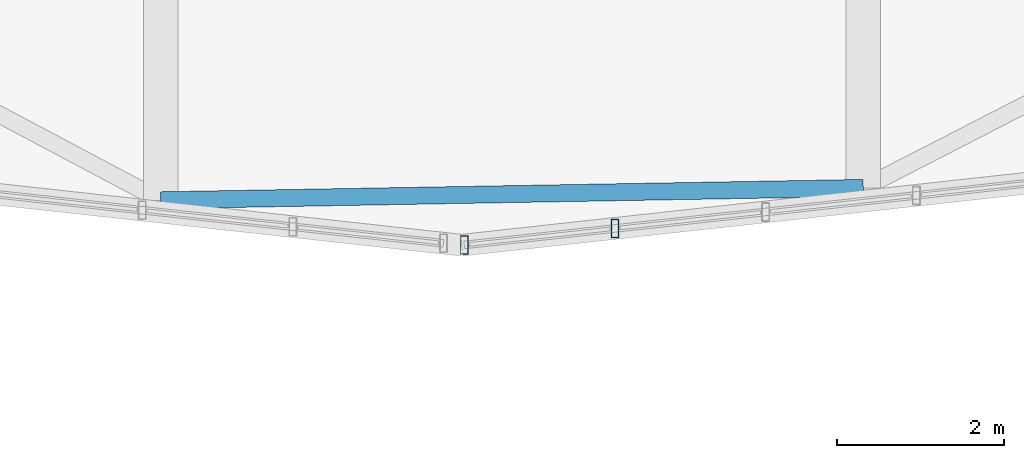
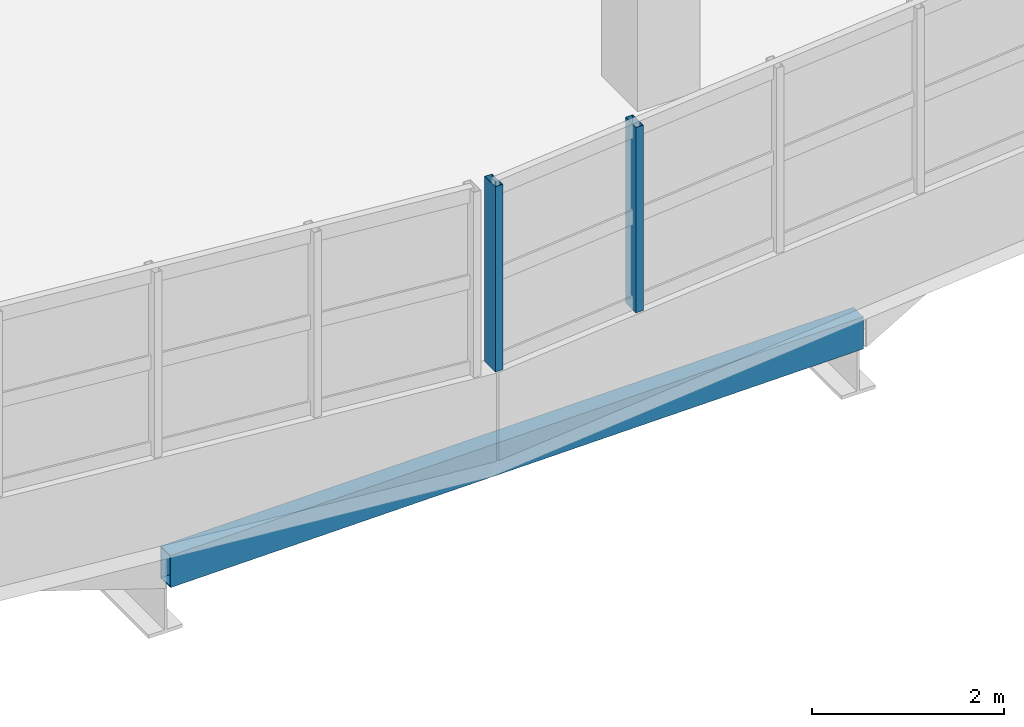
# One storey, part 10 of 117: 2 members, 1 beam, 1 element without a shape of its own.
"""IFC4 building model written with IfcOpenShell, lengths in metres."""

from ifc_helpers import new_model, si_unit, direction, frame, origin, origin_2d, place, context, subcontext, project, spatial, hollow_rectangle, extrude, material, material_profile, profile_set, type_object, element, aggregate, save


model = new_model("IFC4")

# Units and contexts
model_context = context("Model", 3, precision=1e-05, world=origin(), true_north=direction((0.0, 1.0)))
body_context = subcontext(model_context, "Body", "Model", "MODEL_VIEW")
ifc_project = project(units=[si_unit("LENGTHUNIT", "METRE"), si_unit("AREAUNIT", "SQUARE_METRE"), si_unit("VOLUMEUNIT", "CUBIC_METRE"), si_unit("PLANEANGLEUNIT", "RADIAN"), si_unit("MASSUNIT", "GRAM", prefix="KILO")], contexts=[model_context])

# Site, building, storey
site_placement = place(None, origin())
site = spatial("IfcSite", under=ifc_project, at=site_placement, CompositionType="ELEMENT")
building_placement = place(site_placement, origin())
building = spatial("IfcBuilding", under=site, at=building_placement, Name="Solvento Point Concert Hall", CompositionType="ELEMENT")
storey_placement = place(building_placement, frame((0.0, 0.0, 5.39990234375)))
storey = spatial("IfcBuildingStorey", under=building, at=storey_placement, Name="L01", CompositionType="ELEMENT", Elevation=5.39990234375)

# Curtain wall, members
ifc_material_1 = material(Name="Anodized Bronze Aluminium", Category="aluminium")
curtain_wall_type = type_object("IfcCurtainWallType", Name="CurtainWall_RingRibbon_L01_02", PredefinedType="USERDEFINED", material=ifc_material_1)
curtain_wall_placement = place(storey_placement, origin())
curtain_wall = element("IfcCurtainWall", 1, at=curtain_wall_placement, inside=storey, type_object=curtain_wall_type, Name="Unitised curtain wall CW-59 UCW-L01-112", ObjectType="UNITISED CURTAIN WALL", PredefinedType="USERDEFINED")
ifc_material_2 = material(Name="Anodized Bronze Aluminium", Category="aluminium")
ifc_material_profile_1 = material_profile(ifc_material_2, hollow_rectangle(XDim=0.090087890625, YDim=0.219970703125, WallThickness=0.00439453125, at=origin_2d()), Name="CW-MUL-90X220")
ifc_profile_set_1 = profile_set([ifc_material_profile_1], Name="Anodized Bronze Aluminium")
member_type = type_object("IfcMemberType", Name="Mullion_90x220", PredefinedType="MULLION", material=ifc_profile_set_1)
member_1_placement = place(storey_placement, frame((63.03125, 12.200927734375, 1.1201171875), z_axis=(0.0, 0.0, 1.0), x_axis=(1.0, 0.0, 0.0)))
member_1 = element("IfcMember", 2, at=member_1_placement, type_object=member_type, Name="Curtain wall mullion ML-02", PredefinedType="MULLION", context=body_context, shape_type="SweptSolid", body=[
    extrude(hollow_rectangle(XDim=0.090087890625, YDim=0.219970703125, WallThickness=0.00439453125, at=origin_2d()), origin(), (0.0, 0.0, 1.0), 2.35205078125),
])
member_2_placement = place(storey_placement, frame((61.229736328125, 12.00341796875, 1.1201171875), z_axis=(0.0, 0.0, 1.0), x_axis=(1.0, 0.0, 0.0)))
member_2 = element("IfcMember", 3, at=member_2_placement, type_object=member_type, Name="Curtain wall mullion ML-02", PredefinedType="MULLION", context=body_context, shape_type="SweptSolid", body=[
    extrude(hollow_rectangle(XDim=0.090087890625, YDim=0.219970703125, WallThickness=0.00439453125, at=origin_2d()), origin(), (0.0, 0.0, 1.0), 2.35205078125),
])
aggregate(curtain_wall, [member_1, member_2])

# Beam
ifc_material_3 = material(Name="Structural Steel ASTM A500 Grade C", Category="steel")
ifc_material_profile_2 = material_profile(ifc_material_3, hollow_rectangle(XDim=0.203125, YDim=0.406494140625, WallThickness=0.01171875, at=origin_2d()), Name="HSS16X8X1/2")
ifc_profile_set_2 = profile_set([ifc_material_profile_2], Name="Structural Steel ASTM A500 Grade C")
beam_type = type_object("IfcBeamType", Name="RingBeam_HSS16X8", PredefinedType="SPANDREL", material=ifc_profile_set_2)
beam_placement = place(storey_placement, frame((57.60009765625, 12.5380859375, -0.487060546875), z_axis=(0.999845434813, 0.017581424405, 0.0), x_axis=(-0.017581424405, 0.999845434813, 0.0)))
element("IfcBeam", 4, at=beam_placement, inside=storey, type_object=beam_type, Name="Elliptical perimeter ring beam RB-01 L01", PredefinedType="SPANDREL", context=body_context, shape_type="SweptSolid", body=[
    extrude(hollow_rectangle(XDim=0.203125, YDim=0.406494140625, WallThickness=0.01171875, at=origin_2d()), origin(), (0.0, 0.0, 1.0), 8.401123046875),
])

save(model, "model.ifc")
